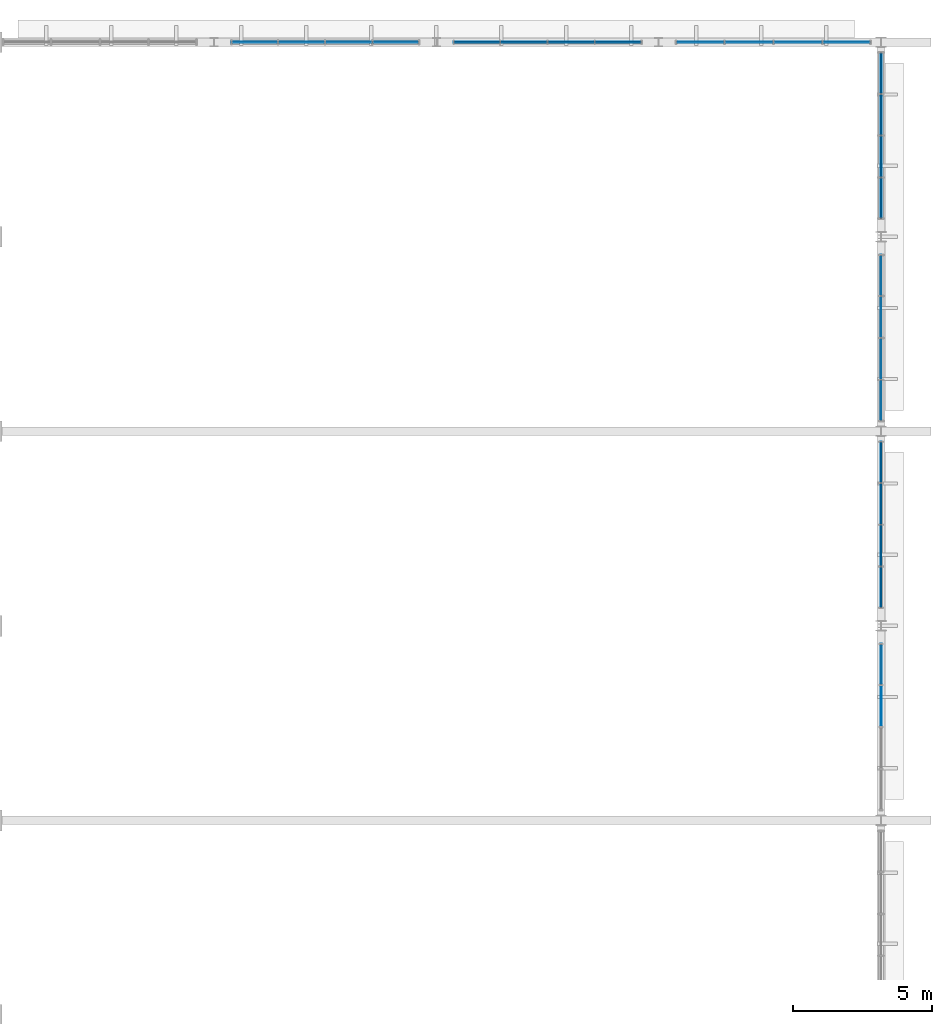
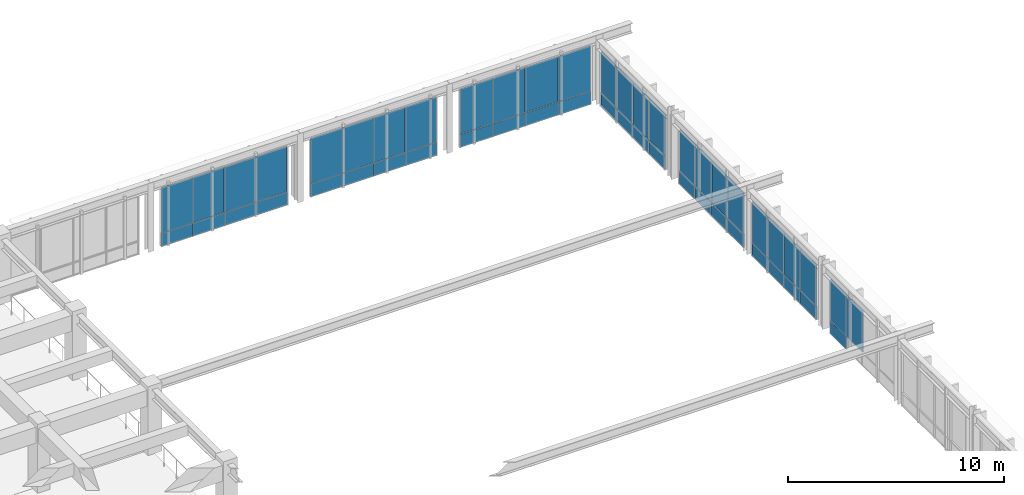
# One storey, part 52 of 98: 51 plates, 7 elements without a shape of their own.
"""IFC4 building model written with IfcOpenShell, lengths in metres."""

import ifcopenshell
import ifcopenshell.guid

model = None  # the IFC model being written
_history = None  # IfcOwnerHistory: only IFC2X3 demands one
_inside = {}  # id of a spatial element -> (the spatial element, [elements in it])
_under = {}  # id of a project, library or spatial element -> (it, [spatial elements below it])
_declared = {}  # id of a project -> (the project, [libraries it declares])
_typed = {}  # id of a type object -> (the type object, [elements of that type])
_made_of = {}  # id of a material, layer set ... -> (it, [elements and type objects made of it])


def new_model(schema):
    """Start an empty IFC model of exactly this schema.

    Asked for "IFC4X3", IfcOpenShell would pick the latest addendum, in which some entities
    have other attributes; the version numbers below select the first issue.
    IFC2X3 requires an IfcOwnerHistory on every rooted entity: one is made here for all.
    """
    global model, _history
    if schema == "IFC4X3":
        model = ifcopenshell.file(schema_version=(4, 3, 0, 0))
    else:
        model = ifcopenshell.file(schema=schema)
    _inside.clear()
    _under.clear()
    _declared.clear()
    _typed.clear()
    _made_of.clear()
    _history = None
    if model.schema == "IFC2X3":
        org = make("IfcOrganization", Name="unknown")
        user = make(
            "IfcPersonAndOrganization",
            ThePerson=make("IfcPerson", FamilyName="unknown"),
            TheOrganization=org,
        )
        app = make(
            "IfcApplication",
            ApplicationDeveloper=org,
            Version="unknown",
            ApplicationFullName="unknown",
            ApplicationIdentifier="unknown",
        )
        _history = make(
            "IfcOwnerHistory",
            OwningUser=user,
            OwningApplication=app,
            ChangeAction="ADDED",
            CreationDate=0,
        )
    return model


def make(cls, **values):
    """One entity of the class cls with the attributes given. An attribute that is None is left unset."""
    return model.create_entity(
        cls, **{name: value for name, value in values.items() if value is not None}
    )


def rooted(cls, **values):
    """An entity with a GlobalId (a new one), such as an element, a storey or a relation."""
    return make(cls, GlobalId=ifcopenshell.guid.new(), OwnerHistory=_history, **values)


def si_unit(unit_type, name, prefix=None):
    """IfcSIUnit, for example si_unit("LENGTHUNIT", "METRE", prefix="MILLI")."""
    return make("IfcSIUnit", UnitType=unit_type, Prefix=prefix, Name=name)


def assignment(units):
    """IfcUnitAssignment: the units of a project."""
    return None if units is None else make("IfcUnitAssignment", Units=units)


def point(xyz):
    """IfcCartesianPoint."""
    return None if xyz is None else make("IfcCartesianPoint", Coordinates=xyz)


def direction(xyz):
    """IfcDirection."""
    return None if xyz is None else make("IfcDirection", DirectionRatios=xyz)


def frame(location, z_axis=None, x_axis=None):
    """IfcAxis2Placement3D, a coordinate frame: its origin and axes. An axis left out is left unset."""
    return make(
        "IfcAxis2Placement3D",
        Location=point(location),
        Axis=direction(z_axis),
        RefDirection=direction(x_axis),
    )


def frame_2d(location, x_axis=None):
    """IfcAxis2Placement2D, a coordinate frame in the plane: its origin and x axis."""
    return make(
        "IfcAxis2Placement2D", Location=point(location), RefDirection=direction(x_axis)
    )


def origin():
    """The frame at (0, 0, 0) with its axes left unset."""
    return frame((0.0, 0.0, 0.0))


def origin_2d():
    """The frame at (0, 0) in the plane with its x axis left unset."""
    return frame_2d((0.0, 0.0))


def place(relative_to, where):
    """IfcLocalPlacement: puts the frame where relative to a parent placement (None: the world)."""
    return make(
        "IfcLocalPlacement", PlacementRelTo=relative_to, RelativePlacement=where
    )


def context(
    kind, dimensions, precision=None, world=None, true_north=None, identifier=None
):
    """IfcGeometricRepresentationContext, for example the 3D "Model" context."""
    return make(
        "IfcGeometricRepresentationContext",
        ContextIdentifier=identifier,
        ContextType=kind,
        CoordinateSpaceDimension=dimensions,
        Precision=precision,
        WorldCoordinateSystem=world,
        TrueNorth=true_north,
    )


def subcontext(parent, identifier, kind, view, scale=None):
    """IfcGeometricRepresentationSubContext, for example "Body" below "Model"."""
    return make(
        "IfcGeometricRepresentationSubContext",
        ContextIdentifier=identifier,
        ContextType=kind,
        ParentContext=parent,
        TargetScale=scale,
        TargetView=view,
    )


def project(units=None, contexts=None):
    """IfcProject with its units and contexts."""
    return rooted(
        "IfcProject",
        Name="project",
        RepresentationContexts=contexts,
        UnitsInContext=assignment(units),
    )


def spatial(cls, under=None, at=None, **own):
    """A site, building, storey or space (cls), placed at a placement, below another one or the project."""
    s = rooted(cls, ObjectPlacement=at, **own)
    if under is not None:
        _under.setdefault(under.id(), (under, []))[1].append(s)
    return s


def profile(cls, at=None, kind="AREA", **sizes):
    """A parametric profile (cls). Its sizes go by their IFC names, for example OverallWidth=200.0."""
    return make(cls, ProfileType=kind, Position=at, **sizes)


def rectangle(**sizes):
    """IfcRectangleProfileDef."""
    return profile("IfcRectangleProfileDef", **sizes)


def extrude(swept, where, along, depth):
    """IfcExtrudedAreaSolid: the profile swept, set in the frame where, extruded along a direction by depth."""
    return make(
        "IfcExtrudedAreaSolid",
        SweptArea=swept,
        Position=where,
        ExtrudedDirection=direction(along),
        Depth=depth,
    )


def shape(context_of_items, identifier, shape_type, items):
    """IfcShapeRepresentation: the items that make up one representation, for example the "Body"."""
    return make(
        "IfcShapeRepresentation",
        ContextOfItems=context_of_items,
        RepresentationIdentifier=identifier,
        RepresentationType=shape_type,
        Items=items,
    )


def material(Name=None, Category=None):
    """IfcMaterial."""
    return make("IfcMaterial", Name=Name, Category=Category)


def layer(
    of_material, thickness, ventilated=None, Name=None, Category=None, Priority=None
):
    """IfcMaterialLayer: one layer of a wall or slab, of a material (None: an air gap)."""
    return make(
        "IfcMaterialLayer",
        Material=of_material,
        LayerThickness=thickness,
        IsVentilated=ventilated,
        Name=Name,
        Category=Category,
        Priority=Priority,
    )


def layer_set(layers, Name=None):
    """IfcMaterialLayerSet."""
    return make("IfcMaterialLayerSet", MaterialLayers=layers, LayerSetName=Name)


def made_of(thing, what):
    """Note that an element or type object is made of a material, layer set ...; save() writes the relation."""
    if what is not None:
        _made_of.setdefault(what.id(), (what, []))[1].append(thing)
    return thing


def type_object(cls, material=None, **own):
    """A type object (cls), such as IfcWallType, which elements share."""
    return made_of(rooted(cls, **own), material)


def element(
    cls,
    number,
    at=None,
    inside=None,
    cuts=None,
    type_object=None,
    material=None,
    context=None,
    identifier="Body",
    shape_type=None,
    held_by="IfcProductDefinitionShape",
    body=None,
    shapes=None,
    **own,
):
    """One element of the class cls, such as IfcWall. Its Tag is "e" and its number.

    at: its placement. inside: the storey or other place that contains it. cuts: it is an
    opening in that element (IfcRelVoidsElement). A single representation is given by context,
    identifier, shape_type and body (its items); several are given by shapes. held_by: the class
    of the entity that holds the representations. save() writes the other relations.
    """
    e = rooted(cls, Tag="e%d" % number, ObjectPlacement=at, **own)
    if body is not None:
        shapes = [shape(context, identifier, shape_type, body)]
    if shapes is not None:
        e.Representation = make(held_by, Representations=shapes)
    if inside is not None:
        _inside.setdefault(inside.id(), (inside, []))[1].append(e)
    if cuts is not None:
        rooted(
            "IfcRelVoidsElement", RelatingBuildingElement=cuts, RelatedOpeningElement=e
        )
    if type_object is not None:
        _typed.setdefault(type_object.id(), (type_object, []))[1].append(e)
    return made_of(e, material)


def aggregate(whole, parts):
    """IfcRelAggregates: a whole, such as a stair, and the parts it consists of."""
    return rooted("IfcRelAggregates", RelatingObject=whole, RelatedObjects=parts)


def save(model, path):
    """Write the relations noted so far, then the file.

    IfcRelAggregates (storeys below a building ...), IfcRelContainedInSpatialStructure (elements
    in a storey), IfcRelDefinesByType, IfcRelAssociatesMaterial and IfcRelDeclares: one each for
    every whole, place, type object, material and project.
    """
    for whole, parts in _under.values():
        aggregate(whole, parts)
    for where, things in _inside.values():
        rooted(
            "IfcRelContainedInSpatialStructure",
            RelatedElements=things,
            RelatingStructure=where,
        )
    for kind, things in _typed.values():
        rooted("IfcRelDefinesByType", RelatedObjects=things, RelatingType=kind)
    for what, things in _made_of.values():
        rooted("IfcRelAssociatesMaterial", RelatedObjects=things, RelatingMaterial=what)
    for by, libraries in _declared.values():
        rooted("IfcRelDeclares", RelatingContext=by, RelatedDefinitions=libraries)
    model.write(path)


model = new_model("IFC4")

# Units and contexts
model_context = context("Model", 3, precision=1e-05, world=origin(), true_north=direction((0.0, 1.0)))
body_context = subcontext(model_context, "Body", "Model", "MODEL_VIEW")
ifc_project = project(units=[si_unit("LENGTHUNIT", "METRE"), si_unit("AREAUNIT", "SQUARE_METRE"), si_unit("VOLUMEUNIT", "CUBIC_METRE"), si_unit("PLANEANGLEUNIT", "RADIAN"), si_unit("MASSUNIT", "GRAM", prefix="KILO")], contexts=[model_context])

# Site, building, storey
site_placement = place(None, origin())
site = spatial("IfcSite", under=ifc_project, at=site_placement, CompositionType="ELEMENT")
building_placement = place(site_placement, origin())
building = spatial("IfcBuilding", under=site, at=building_placement, Name="Larkveld Mobility Hub", CompositionType="ELEMENT")
storey_placement = place(building_placement, frame((0.0, 0.0, 4.5)))
storey = spatial("IfcBuildingStorey", under=building, at=storey_placement, Name="L01", CompositionType="ELEMENT", Elevation=4.5)

# Curtain wall, plates
ifc_material_1 = material(Name="Anodised aluminium 6063-T6", Category="aluminium")
curtain_wall_type_1 = type_object("IfcCurtainWallType", Name="CW-SYS-01", PredefinedType="NOTDEFINED", material=ifc_material_1)
curtain_wall_1_placement = place(storey_placement, origin())
curtain_wall_1 = element("IfcCurtainWall", 1, at=curtain_wall_1_placement, inside=storey, type_object=curtain_wall_type_1, Name="Bus Hall Upper East Glazing B6 CW-061", PredefinedType="NOTDEFINED")
ifc_material_2 = material(Name="Low-E laminated solar-control double glazing", Category="glass")
ifc_layer_1 = layer(ifc_material_2, 0.028076171875, Name="Low-E laminated solar-control double glazing", Category="glass")
ifc_layer_set_1 = layer_set([ifc_layer_1], Name="Low-E laminated solar-control double glazing")
plate_type_1 = type_object("IfcPlateType", Name="CW-PNL-GL01", PredefinedType="CURTAIN_PANEL", material=ifc_layer_set_1)
plate_1_placement = place(storey_placement, frame((184.0, 106.388916015625, 0.75), z_axis=(0.0, 0.0, 1.0), x_axis=(0.0, 1.0, 0.0)))
plate_1 = element("IfcPlate", 2, at=plate_1_placement, type_object=plate_type_1, Name="CW01 panel 1", PredefinedType="CURTAIN_PANEL", context=body_context, shape_type="SweptSolid", body=[
    extrude(rectangle(XDim=1.47607421875, YDim=0.028076171875, at=origin_2d()), origin(), (0.0, 0.0, 1.0), 2.327880859375),
])
plate_2_placement = place(storey_placement, frame((184.0, 107.885009765625, 0.75), z_axis=(0.0, 0.0, 1.0), x_axis=(0.0, 1.0, 0.0)))
plate_2 = element("IfcPlate", 3, at=plate_2_placement, type_object=plate_type_1, Name="CW01 panel 2", PredefinedType="CURTAIN_PANEL", context=body_context, shape_type="SweptSolid", body=[
    extrude(rectangle(XDim=1.49609375, YDim=0.028076171875, at=origin_2d()), origin(), (0.0, 0.0, 1.0), 2.327880859375),
])
plate_3_placement = place(storey_placement, frame((184.0, 109.39111328125, 0.75), z_axis=(0.0, 0.0, 1.0), x_axis=(0.0, 1.0, 0.0)))
plate_3 = element("IfcPlate", 4, at=plate_3_placement, type_object=plate_type_1, Name="CW01 panel 3", PredefinedType="CURTAIN_PANEL", context=body_context, shape_type="SweptSolid", body=[
    extrude(rectangle(XDim=1.49609375, YDim=0.028076171875, at=origin_2d()), origin(), (0.0, 0.0, 1.0), 2.327880859375),
])
plate_4_placement = place(storey_placement, frame((184.0, 110.886962890625, 0.75), z_axis=(0.0, 0.0, 1.0), x_axis=(0.0, 1.0, 0.0)))
plate_4 = element("IfcPlate", 5, at=plate_4_placement, type_object=plate_type_1, Name="CW01 panel 4", PredefinedType="CURTAIN_PANEL", context=body_context, shape_type="SweptSolid", body=[
    extrude(rectangle(XDim=1.47607421875, YDim=0.028076171875, at=origin_2d()), origin(), (0.0, 0.0, 1.0), 2.327880859375),
])

curtain_wall_type_2 = type_object("IfcCurtainWallType", Name="CW-SYS-04", PredefinedType="NOTDEFINED", material=ifc_material_1)
curtain_wall_2_placement = place(storey_placement, origin())
curtain_wall_2 = element("IfcCurtainWall", 6, at=curtain_wall_2_placement, inside=storey, type_object=curtain_wall_type_2, Name="North Ridgeway Upper Concourse Curtain Wall CW-064", PredefinedType="NOTDEFINED")
plate_5_placement = place(storey_placement, frame((182.759033203125, 126.0, 0.75), z_axis=(0.0, 0.0, 1.0), x_axis=(-1.0, 0.0, 0.0)))
plate_5 = element("IfcPlate", 7, at=plate_5_placement, type_object=plate_type_1, Name="CW04 panel 1", PredefinedType="CURTAIN_PANEL", context=body_context, shape_type="SweptSolid", body=[
    extrude(rectangle(XDim=1.73291015625, YDim=0.028076171875, at=origin_2d()), origin(), (0.0, 0.0, 1.0), 2.568115234375),
])
plate_6_placement = place(storey_placement, frame((181.006103515625, 126.0, 0.75), z_axis=(0.0, 0.0, 1.0), x_axis=(-1.0, 0.0, 0.0)))
plate_6 = element("IfcPlate", 8, at=plate_6_placement, type_object=plate_type_1, Name="CW04 panel 2", PredefinedType="CURTAIN_PANEL", context=body_context, shape_type="SweptSolid", body=[
    extrude(rectangle(XDim=1.7529296875, YDim=0.028076171875, at=origin_2d()), origin(), (0.0, 0.0, 1.0), 2.568115234375),
])
plate_7_placement = place(storey_placement, frame((179.243896484375, 126.0, 0.75), z_axis=(0.0, 0.0, 1.0), x_axis=(-1.0, 0.0, 0.0)))
plate_7 = element("IfcPlate", 9, at=plate_7_placement, type_object=plate_type_1, Name="CW04 panel 3", PredefinedType="CURTAIN_PANEL", context=body_context, shape_type="SweptSolid", body=[
    extrude(rectangle(XDim=1.7529296875, YDim=0.028076171875, at=origin_2d()), origin(), (0.0, 0.0, 1.0), 2.568115234375),
])
plate_8_placement = place(storey_placement, frame((177.490966796875, 126.0, 0.75), z_axis=(0.0, 0.0, 1.0), x_axis=(-1.0, 0.0, 0.0)))
plate_8 = element("IfcPlate", 10, at=plate_8_placement, type_object=plate_type_1, Name="CW04 panel 4", PredefinedType="CURTAIN_PANEL", context=body_context, shape_type="SweptSolid", body=[
    extrude(rectangle(XDim=1.73291015625, YDim=0.028076171875, at=origin_2d()), origin(), (0.0, 0.0, 1.0), 2.568115234375),
])

curtain_wall_type_3 = type_object("IfcCurtainWallType", Name="CW-SYS-02", PredefinedType="NOTDEFINED", material=ifc_material_1)
curtain_wall_3_placement = place(storey_placement, origin())
curtain_wall_3 = element("IfcCurtainWall", 11, at=curtain_wall_3_placement, inside=storey, type_object=curtain_wall_type_3, Name="Bus Hall Upper East Glazing B7 CW-062", PredefinedType="NOTDEFINED")
ifc_material_3 = material(Name="Acoustic solar-control laminated double glazing", Category="glass")
ifc_layer_2 = layer(ifc_material_3, 0.031982421875, Name="Acoustic solar-control laminated double glazing", Category="glass")
ifc_layer_set_2 = layer_set([ifc_layer_2], Name="Acoustic solar-control laminated double glazing")
plate_type_2 = type_object("IfcPlateType", Name="CW-PNL-GL02", PredefinedType="CURTAIN_PANEL", material=ifc_layer_set_2)
plate_9_placement = place(storey_placement, frame((184.0, 113.113037109375, 0.75), z_axis=(0.0, 0.0, 1.0), x_axis=(0.0, 1.0, 0.0)))
plate_9 = element("IfcPlate", 12, at=plate_9_placement, type_object=plate_type_2, Name="CW02 panel 1", PredefinedType="CURTAIN_PANEL", context=body_context, shape_type="SweptSolid", body=[
    extrude(rectangle(XDim=1.47607421875, YDim=0.031982421875, at=origin_2d()), origin(), (0.0, 0.0, 1.0), 2.327880859375),
])
plate_10_placement = place(storey_placement, frame((184.0, 114.60888671875, 0.75), z_axis=(0.0, 0.0, 1.0), x_axis=(0.0, 1.0, 0.0)))
plate_10 = element("IfcPlate", 13, at=plate_10_placement, type_object=plate_type_2, Name="CW02 panel 2", PredefinedType="CURTAIN_PANEL", context=body_context, shape_type="SweptSolid", body=[
    extrude(rectangle(XDim=1.49609375, YDim=0.031982421875, at=origin_2d()), origin(), (0.0, 0.0, 1.0), 2.327880859375),
])
plate_11_placement = place(storey_placement, frame((184.0, 116.114990234375, 0.75), z_axis=(0.0, 0.0, 1.0), x_axis=(0.0, 1.0, 0.0)))
plate_11 = element("IfcPlate", 14, at=plate_11_placement, type_object=plate_type_2, Name="CW02 panel 3", PredefinedType="CURTAIN_PANEL", context=body_context, shape_type="SweptSolid", body=[
    extrude(rectangle(XDim=1.49609375, YDim=0.031982421875, at=origin_2d()), origin(), (0.0, 0.0, 1.0), 2.327880859375),
])
plate_12_placement = place(storey_placement, frame((184.0, 117.611083984375, 0.75), z_axis=(0.0, 0.0, 1.0), x_axis=(0.0, 1.0, 0.0)))
plate_12 = element("IfcPlate", 15, at=plate_12_placement, type_object=plate_type_2, Name="CW02 panel 4", PredefinedType="CURTAIN_PANEL", context=body_context, shape_type="SweptSolid", body=[
    extrude(rectangle(XDim=1.47607421875, YDim=0.031982421875, at=origin_2d()), origin(), (0.0, 0.0, 1.0), 2.327880859375),
])

curtain_wall_type_4 = type_object("IfcCurtainWallType", Name="CW-SYS-05", PredefinedType="NOTDEFINED", material=ifc_material_1)
curtain_wall_4_placement = place(storey_placement, origin())
curtain_wall_4 = element("IfcCurtainWall", 16, at=curtain_wall_4_placement, inside=storey, type_object=curtain_wall_type_4, Name="North Ridgeway Upper Concourse Curtain Wall CW-065", PredefinedType="NOTDEFINED")
plate_13_placement = place(storey_placement, frame((174.5400390625, 126.0, 0.75), z_axis=(0.0, 0.0, 1.0), x_axis=(-1.0, 0.0, 0.0)))
plate_13 = element("IfcPlate", 17, at=plate_13_placement, type_object=plate_type_2, Name="CW05 panel 1", PredefinedType="CURTAIN_PANEL", context=body_context, shape_type="SweptSolid", body=[
    extrude(rectangle(XDim=1.669921875, YDim=0.031982421875, at=origin_2d()), origin(), (0.0, 0.0, 1.0), 2.568115234375),
])
plate_14_placement = place(storey_placement, frame((172.85009765625, 126.0, 0.75), z_axis=(0.0, 0.0, 1.0), x_axis=(-1.0, 0.0, 0.0)))
plate_14 = element("IfcPlate", 18, at=plate_14_placement, type_object=plate_type_2, Name="CW05 panel 2", PredefinedType="CURTAIN_PANEL", context=body_context, shape_type="SweptSolid", body=[
    extrude(rectangle(XDim=1.68994140625, YDim=0.031982421875, at=origin_2d()), origin(), (0.0, 0.0, 1.0), 2.568115234375),
])
plate_15_placement = place(storey_placement, frame((171.14990234375, 126.0, 0.75), z_axis=(0.0, 0.0, 1.0), x_axis=(-1.0, 0.0, 0.0)))
plate_15 = element("IfcPlate", 19, at=plate_15_placement, type_object=plate_type_2, Name="CW05 panel 3", PredefinedType="CURTAIN_PANEL", context=body_context, shape_type="SweptSolid", body=[
    extrude(rectangle(XDim=1.68994140625, YDim=0.031982421875, at=origin_2d()), origin(), (0.0, 0.0, 1.0), 2.568115234375),
])
plate_16_placement = place(storey_placement, frame((169.4599609375, 126.0, 0.75), z_axis=(0.0, 0.0, 1.0), x_axis=(-1.0, 0.0, 0.0)))
plate_16 = element("IfcPlate", 20, at=plate_16_placement, type_object=plate_type_2, Name="CW05 panel 4", PredefinedType="CURTAIN_PANEL", context=body_context, shape_type="SweptSolid", body=[
    extrude(rectangle(XDim=1.669921875, YDim=0.031982421875, at=origin_2d()), origin(), (0.0, 0.0, 1.0), 2.568115234375),
])

curtain_wall_type_5 = type_object("IfcCurtainWallType", Name="CW-SYS-12", PredefinedType="NOTDEFINED", material=ifc_material_1)
curtain_wall_5_placement = place(storey_placement, origin())
curtain_wall_5 = element("IfcCurtainWall", 21, at=curtain_wall_5_placement, inside=storey, type_object=curtain_wall_type_5, Name="Bus Hall Upper East Glazing B6 CW-060", PredefinedType="NOTDEFINED")
ifc_material_4 = material(Name="Tinted safety double glazing", Category="glass")
ifc_layer_3 = layer(ifc_material_4, 0.035888671875, Name="Tinted safety double glazing", Category="glass")
ifc_layer_set_3 = layer_set([ifc_layer_3], Name="Tinted safety double glazing")
plate_type_3 = type_object("IfcPlateType", Name="CW-PNL-GL03", PredefinedType="CURTAIN_PANEL", material=ifc_layer_set_3)
plate_17_placement = place(storey_placement, frame((184.0, 102.114990234375, 0.75), z_axis=(0.0, 0.0, 1.0), x_axis=(0.0, 1.0, 0.0)))
plate_17 = element("IfcPlate", 22, at=plate_17_placement, type_object=plate_type_3, Name="CW12 panel 3", PredefinedType="CURTAIN_PANEL", context=body_context, shape_type="SweptSolid", body=[
    extrude(rectangle(XDim=1.49609375, YDim=0.035888671875, at=origin_2d()), origin(), (0.0, 0.0, 1.0), 2.327880859375),
])
plate_18_placement = place(storey_placement, frame((184.0, 103.611083984375, 0.75), z_axis=(0.0, 0.0, 1.0), x_axis=(0.0, 1.0, 0.0)))
plate_18 = element("IfcPlate", 23, at=plate_18_placement, type_object=plate_type_3, Name="CW12 panel 4", PredefinedType="CURTAIN_PANEL", context=body_context, shape_type="SweptSolid", body=[
    extrude(rectangle(XDim=1.47607421875, YDim=0.035888671875, at=origin_2d()), origin(), (0.0, 0.0, 1.0), 2.327880859375),
])

curtain_wall_type_6 = type_object("IfcCurtainWallType", Name="CW-SYS-03", PredefinedType="NOTDEFINED", material=ifc_material_1)
curtain_wall_6_placement = place(storey_placement, origin())
curtain_wall_6 = element("IfcCurtainWall", 24, at=curtain_wall_6_placement, inside=storey, type_object=curtain_wall_type_6, Name="Bus Hall Upper East Glazing B7 CW-063", PredefinedType="NOTDEFINED")
plate_19_placement = place(storey_placement, frame((184.0, 120.388916015625, 0.75), z_axis=(0.0, 0.0, 1.0), x_axis=(0.0, 1.0, 0.0)))
plate_19 = element("IfcPlate", 25, at=plate_19_placement, type_object=plate_type_3, Name="CW03 panel 1", PredefinedType="CURTAIN_PANEL", context=body_context, shape_type="SweptSolid", body=[
    extrude(rectangle(XDim=1.47607421875, YDim=0.035888671875, at=origin_2d()), origin(), (0.0, 0.0, 1.0), 2.327880859375),
])
plate_20_placement = place(storey_placement, frame((184.0, 121.885009765625, 0.75), z_axis=(0.0, 0.0, 1.0), x_axis=(0.0, 1.0, 0.0)))
plate_20 = element("IfcPlate", 26, at=plate_20_placement, type_object=plate_type_3, Name="CW03 panel 2", PredefinedType="CURTAIN_PANEL", context=body_context, shape_type="SweptSolid", body=[
    extrude(rectangle(XDim=1.49609375, YDim=0.035888671875, at=origin_2d()), origin(), (0.0, 0.0, 1.0), 2.327880859375),
])
plate_21_placement = place(storey_placement, frame((184.0, 123.39111328125, 0.75), z_axis=(0.0, 0.0, 1.0), x_axis=(0.0, 1.0, 0.0)))
plate_21 = element("IfcPlate", 27, at=plate_21_placement, type_object=plate_type_3, Name="CW03 panel 3", PredefinedType="CURTAIN_PANEL", context=body_context, shape_type="SweptSolid", body=[
    extrude(rectangle(XDim=1.49609375, YDim=0.035888671875, at=origin_2d()), origin(), (0.0, 0.0, 1.0), 2.327880859375),
])
plate_22_placement = place(storey_placement, frame((184.0, 124.886962890625, 0.75), z_axis=(0.0, 0.0, 1.0), x_axis=(0.0, 1.0, 0.0)))
plate_22 = element("IfcPlate", 28, at=plate_22_placement, type_object=plate_type_3, Name="CW03 panel 4", PredefinedType="CURTAIN_PANEL", context=body_context, shape_type="SweptSolid", body=[
    extrude(rectangle(XDim=1.47607421875, YDim=0.035888671875, at=origin_2d()), origin(), (0.0, 0.0, 1.0), 2.327880859375),
])

curtain_wall_type_7 = type_object("IfcCurtainWallType", Name="CW-SYS-06", PredefinedType="NOTDEFINED", material=ifc_material_1)
curtain_wall_7_placement = place(storey_placement, origin())
curtain_wall_7 = element("IfcCurtainWall", 29, at=curtain_wall_7_placement, inside=storey, type_object=curtain_wall_type_7, Name="North Ridgeway Upper Concourse Curtain Wall CW-066", PredefinedType="NOTDEFINED")
plate_23_placement = place(storey_placement, frame((166.5400390625, 126.0, 0.75), z_axis=(0.0, 0.0, 1.0), x_axis=(-1.0, 0.0, 0.0)))
plate_23 = element("IfcPlate", 30, at=plate_23_placement, type_object=plate_type_3, Name="CW06 panel 1", PredefinedType="CURTAIN_PANEL", context=body_context, shape_type="SweptSolid", body=[
    extrude(rectangle(XDim=1.669921875, YDim=0.035888671875, at=origin_2d()), origin(), (0.0, 0.0, 1.0), 2.568115234375),
])
plate_24_placement = place(storey_placement, frame((164.85009765625, 126.0, 0.75), z_axis=(0.0, 0.0, 1.0), x_axis=(-1.0, 0.0, 0.0)))
plate_24 = element("IfcPlate", 31, at=plate_24_placement, type_object=plate_type_3, Name="CW06 panel 2", PredefinedType="CURTAIN_PANEL", context=body_context, shape_type="SweptSolid", body=[
    extrude(rectangle(XDim=1.68994140625, YDim=0.035888671875, at=origin_2d()), origin(), (0.0, 0.0, 1.0), 2.568115234375),
])
plate_25_placement = place(storey_placement, frame((163.14990234375, 126.0, 0.75), z_axis=(0.0, 0.0, 1.0), x_axis=(-1.0, 0.0, 0.0)))
plate_25 = element("IfcPlate", 32, at=plate_25_placement, type_object=plate_type_3, Name="CW06 panel 3", PredefinedType="CURTAIN_PANEL", context=body_context, shape_type="SweptSolid", body=[
    extrude(rectangle(XDim=1.68994140625, YDim=0.035888671875, at=origin_2d()), origin(), (0.0, 0.0, 1.0), 2.568115234375),
])
plate_26_placement = place(storey_placement, frame((161.4599609375, 126.0, 0.75), z_axis=(0.0, 0.0, 1.0), x_axis=(-1.0, 0.0, 0.0)))
plate_26 = element("IfcPlate", 33, at=plate_26_placement, type_object=plate_type_3, Name="CW06 panel 4", PredefinedType="CURTAIN_PANEL", context=body_context, shape_type="SweptSolid", body=[
    extrude(rectangle(XDim=1.669921875, YDim=0.035888671875, at=origin_2d()), origin(), (0.0, 0.0, 1.0), 2.568115234375),
])

# Plate
ifc_material_5 = material(Name="Insulated fluoropolymer aluminium spandrel", Category="aluminium")
ifc_layer_4 = layer(ifc_material_5, 0.06494140625, Name="Insulated fluoropolymer aluminium spandrel", Category="aluminium")
ifc_layer_set_4 = layer_set([ifc_layer_4], Name="Insulated fluoropolymer aluminium spandrel")
plate_type_4 = type_object("IfcPlateType", Name="CW-PNL-SP01", PredefinedType="CURTAIN_PANEL", material=ifc_layer_set_4)
plate_27_placement = place(storey_placement, frame((184.0, 106.388916015625, 0.0), z_axis=(0.0, 0.0, 1.0), x_axis=(0.0, 1.0, 0.0)))
plate_27 = element("IfcPlate", 34, at=plate_27_placement, type_object=plate_type_4, Name="CW01 spandrel 1", PredefinedType="CURTAIN_PANEL", context=body_context, shape_type="SweptSolid", body=[
    extrude(rectangle(XDim=1.47607421875, YDim=0.06494140625, at=origin_2d()), origin(), (0.0, 0.0, 1.0), 0.738037109375),
])

plate_28_placement = place(storey_placement, frame((184.0, 107.885009765625, 0.0), z_axis=(0.0, 0.0, 1.0), x_axis=(0.0, 1.0, 0.0)))
plate_28 = element("IfcPlate", 35, at=plate_28_placement, type_object=plate_type_4, Name="CW01 spandrel 2", PredefinedType="CURTAIN_PANEL", context=body_context, shape_type="SweptSolid", body=[
    extrude(rectangle(XDim=1.49609375, YDim=0.06494140625, at=origin_2d()), origin(), (0.0, 0.0, 1.0), 0.738037109375),
])

plate_29_placement = place(storey_placement, frame((184.0, 109.39111328125, 0.0), z_axis=(0.0, 0.0, 1.0), x_axis=(0.0, 1.0, 0.0)))
plate_29 = element("IfcPlate", 36, at=plate_29_placement, type_object=plate_type_4, Name="CW01 spandrel 3", PredefinedType="CURTAIN_PANEL", context=body_context, shape_type="SweptSolid", body=[
    extrude(rectangle(XDim=1.49609375, YDim=0.06494140625, at=origin_2d()), origin(), (0.0, 0.0, 1.0), 0.738037109375),
])

plate_30_placement = place(storey_placement, frame((184.0, 110.886962890625, 0.0), z_axis=(0.0, 0.0, 1.0), x_axis=(0.0, 1.0, 0.0)))
plate_30 = element("IfcPlate", 37, at=plate_30_placement, type_object=plate_type_4, Name="CW01 spandrel 4", PredefinedType="CURTAIN_PANEL", context=body_context, shape_type="SweptSolid", body=[
    extrude(rectangle(XDim=1.47607421875, YDim=0.06494140625, at=origin_2d()), origin(), (0.0, 0.0, 1.0), 0.738037109375),
])

aggregate(curtain_wall_1, [plate_27, plate_1, plate_28, plate_2, plate_29, plate_3, plate_30, plate_4])

plate_31_placement = place(storey_placement, frame((184.0, 120.388916015625, 0.0), z_axis=(0.0, 0.0, 1.0), x_axis=(0.0, 1.0, 0.0)))
plate_31 = element("IfcPlate", 38, at=plate_31_placement, type_object=plate_type_4, Name="CW03 spandrel 1", PredefinedType="CURTAIN_PANEL", context=body_context, shape_type="SweptSolid", body=[
    extrude(rectangle(XDim=1.47607421875, YDim=0.06494140625, at=origin_2d()), origin(), (0.0, 0.0, 1.0), 0.738037109375),
])

plate_32_placement = place(storey_placement, frame((184.0, 121.885009765625, 0.0), z_axis=(0.0, 0.0, 1.0), x_axis=(0.0, 1.0, 0.0)))
plate_32 = element("IfcPlate", 39, at=plate_32_placement, type_object=plate_type_4, Name="CW03 spandrel 2", PredefinedType="CURTAIN_PANEL", context=body_context, shape_type="SweptSolid", body=[
    extrude(rectangle(XDim=1.49609375, YDim=0.06494140625, at=origin_2d()), origin(), (0.0, 0.0, 1.0), 0.738037109375),
])

plate_33_placement = place(storey_placement, frame((184.0, 123.39111328125, 0.0), z_axis=(0.0, 0.0, 1.0), x_axis=(0.0, 1.0, 0.0)))
plate_33 = element("IfcPlate", 40, at=plate_33_placement, type_object=plate_type_4, Name="CW03 spandrel 3", PredefinedType="CURTAIN_PANEL", context=body_context, shape_type="SweptSolid", body=[
    extrude(rectangle(XDim=1.49609375, YDim=0.06494140625, at=origin_2d()), origin(), (0.0, 0.0, 1.0), 0.738037109375),
])

plate_34_placement = place(storey_placement, frame((184.0, 124.886962890625, 0.0), z_axis=(0.0, 0.0, 1.0), x_axis=(0.0, 1.0, 0.0)))
plate_34 = element("IfcPlate", 41, at=plate_34_placement, type_object=plate_type_4, Name="CW03 spandrel 4", PredefinedType="CURTAIN_PANEL", context=body_context, shape_type="SweptSolid", body=[
    extrude(rectangle(XDim=1.47607421875, YDim=0.06494140625, at=origin_2d()), origin(), (0.0, 0.0, 1.0), 0.738037109375),
])

aggregate(curtain_wall_6, [plate_31, plate_19, plate_32, plate_20, plate_33, plate_21, plate_34, plate_22])

plate_35_placement = place(storey_placement, frame((174.5400390625, 126.0, 0.0), z_axis=(0.0, 0.0, 1.0), x_axis=(-1.0, 0.0, 0.0)))
plate_35 = element("IfcPlate", 42, at=plate_35_placement, type_object=plate_type_4, Name="CW05 spandrel 1", PredefinedType="CURTAIN_PANEL", context=body_context, shape_type="SweptSolid", body=[
    extrude(rectangle(XDim=1.669921875, YDim=0.06494140625, at=origin_2d()), origin(), (0.0, 0.0, 1.0), 0.738037109375),
])

plate_36_placement = place(storey_placement, frame((172.85009765625, 126.0, 0.0), z_axis=(0.0, 0.0, 1.0), x_axis=(-1.0, 0.0, 0.0)))
plate_36 = element("IfcPlate", 43, at=plate_36_placement, type_object=plate_type_4, Name="CW05 spandrel 2", PredefinedType="CURTAIN_PANEL", context=body_context, shape_type="SweptSolid", body=[
    extrude(rectangle(XDim=1.68994140625, YDim=0.06494140625, at=origin_2d()), origin(), (0.0, 0.0, 1.0), 0.738037109375),
])

plate_37_placement = place(storey_placement, frame((171.14990234375, 126.0, 0.0), z_axis=(0.0, 0.0, 1.0), x_axis=(-1.0, 0.0, 0.0)))
plate_37 = element("IfcPlate", 44, at=plate_37_placement, type_object=plate_type_4, Name="CW05 spandrel 3", PredefinedType="CURTAIN_PANEL", context=body_context, shape_type="SweptSolid", body=[
    extrude(rectangle(XDim=1.68994140625, YDim=0.06494140625, at=origin_2d()), origin(), (0.0, 0.0, 1.0), 0.738037109375),
])

plate_38_placement = place(storey_placement, frame((169.4599609375, 126.0, 0.0), z_axis=(0.0, 0.0, 1.0), x_axis=(-1.0, 0.0, 0.0)))
plate_38 = element("IfcPlate", 45, at=plate_38_placement, type_object=plate_type_4, Name="CW05 spandrel 4", PredefinedType="CURTAIN_PANEL", context=body_context, shape_type="SweptSolid", body=[
    extrude(rectangle(XDim=1.669921875, YDim=0.06494140625, at=origin_2d()), origin(), (0.0, 0.0, 1.0), 0.738037109375),
])

aggregate(curtain_wall_4, [plate_35, plate_13, plate_36, plate_14, plate_37, plate_15, plate_38, plate_16])

ifc_material_6 = material(Name="Insulated terracotta-toned aluminium spandrel", Category="masonry")
ifc_layer_5 = layer(ifc_material_6, 0.080078125, Name="Insulated terracotta-toned aluminium spandrel", Category="masonry")
ifc_layer_set_5 = layer_set([ifc_layer_5], Name="Insulated terracotta-toned aluminium spandrel")
plate_type_5 = type_object("IfcPlateType", Name="CW-PNL-SP02", PredefinedType="CURTAIN_PANEL", material=ifc_layer_set_5)
plate_39_placement = place(storey_placement, frame((184.0, 103.611083984375, 0.0), z_axis=(0.0, 0.0, 1.0), x_axis=(0.0, 1.0, 0.0)))
plate_39 = element("IfcPlate", 46, at=plate_39_placement, type_object=plate_type_5, Name="CW12 spandrel 4", PredefinedType="CURTAIN_PANEL", context=body_context, shape_type="SweptSolid", body=[
    extrude(rectangle(XDim=1.47607421875, YDim=0.080078125, at=origin_2d()), origin(), (0.0, 0.0, 1.0), 0.738037109375),
])

aggregate(curtain_wall_5, [plate_17, plate_39, plate_18])

plate_40_placement = place(storey_placement, frame((184.0, 113.113037109375, 0.0), z_axis=(0.0, 0.0, 1.0), x_axis=(0.0, 1.0, 0.0)))
plate_40 = element("IfcPlate", 47, at=plate_40_placement, type_object=plate_type_5, Name="CW02 spandrel 1", PredefinedType="CURTAIN_PANEL", context=body_context, shape_type="SweptSolid", body=[
    extrude(rectangle(XDim=1.47607421875, YDim=0.080078125, at=origin_2d()), origin(), (0.0, 0.0, 1.0), 0.738037109375),
])

plate_41_placement = place(storey_placement, frame((184.0, 114.60888671875, 0.0), z_axis=(0.0, 0.0, 1.0), x_axis=(0.0, 1.0, 0.0)))
plate_41 = element("IfcPlate", 48, at=plate_41_placement, type_object=plate_type_5, Name="CW02 spandrel 2", PredefinedType="CURTAIN_PANEL", context=body_context, shape_type="SweptSolid", body=[
    extrude(rectangle(XDim=1.49609375, YDim=0.080078125, at=origin_2d()), origin(), (0.0, 0.0, 1.0), 0.738037109375),
])

plate_42_placement = place(storey_placement, frame((184.0, 116.114990234375, 0.0), z_axis=(0.0, 0.0, 1.0), x_axis=(0.0, 1.0, 0.0)))
plate_42 = element("IfcPlate", 49, at=plate_42_placement, type_object=plate_type_5, Name="CW02 spandrel 3", PredefinedType="CURTAIN_PANEL", context=body_context, shape_type="SweptSolid", body=[
    extrude(rectangle(XDim=1.49609375, YDim=0.080078125, at=origin_2d()), origin(), (0.0, 0.0, 1.0), 0.738037109375),
])

plate_43_placement = place(storey_placement, frame((184.0, 117.611083984375, 0.0), z_axis=(0.0, 0.0, 1.0), x_axis=(0.0, 1.0, 0.0)))
plate_43 = element("IfcPlate", 50, at=plate_43_placement, type_object=plate_type_5, Name="CW02 spandrel 4", PredefinedType="CURTAIN_PANEL", context=body_context, shape_type="SweptSolid", body=[
    extrude(rectangle(XDim=1.47607421875, YDim=0.080078125, at=origin_2d()), origin(), (0.0, 0.0, 1.0), 0.738037109375),
])

aggregate(curtain_wall_3, [plate_40, plate_9, plate_41, plate_10, plate_42, plate_11, plate_43, plate_12])

plate_44_placement = place(storey_placement, frame((182.759033203125, 126.0, 0.0), z_axis=(0.0, 0.0, 1.0), x_axis=(-1.0, 0.0, 0.0)))
plate_44 = element("IfcPlate", 51, at=plate_44_placement, type_object=plate_type_5, Name="CW04 spandrel 1", PredefinedType="CURTAIN_PANEL", context=body_context, shape_type="SweptSolid", body=[
    extrude(rectangle(XDim=1.73291015625, YDim=0.080078125, at=origin_2d()), origin(), (0.0, 0.0, 1.0), 0.738037109375),
])

plate_45_placement = place(storey_placement, frame((181.006103515625, 126.0, 0.0), z_axis=(0.0, 0.0, 1.0), x_axis=(-1.0, 0.0, 0.0)))
plate_45 = element("IfcPlate", 52, at=plate_45_placement, type_object=plate_type_5, Name="CW04 spandrel 2", PredefinedType="CURTAIN_PANEL", context=body_context, shape_type="SweptSolid", body=[
    extrude(rectangle(XDim=1.7529296875, YDim=0.080078125, at=origin_2d()), origin(), (0.0, 0.0, 1.0), 0.738037109375),
])

plate_46_placement = place(storey_placement, frame((179.243896484375, 126.0, 0.0), z_axis=(0.0, 0.0, 1.0), x_axis=(-1.0, 0.0, 0.0)))
plate_46 = element("IfcPlate", 53, at=plate_46_placement, type_object=plate_type_5, Name="CW04 spandrel 3", PredefinedType="CURTAIN_PANEL", context=body_context, shape_type="SweptSolid", body=[
    extrude(rectangle(XDim=1.7529296875, YDim=0.080078125, at=origin_2d()), origin(), (0.0, 0.0, 1.0), 0.738037109375),
])

plate_47_placement = place(storey_placement, frame((177.490966796875, 126.0, 0.0), z_axis=(0.0, 0.0, 1.0), x_axis=(-1.0, 0.0, 0.0)))
plate_47 = element("IfcPlate", 54, at=plate_47_placement, type_object=plate_type_5, Name="CW04 spandrel 4", PredefinedType="CURTAIN_PANEL", context=body_context, shape_type="SweptSolid", body=[
    extrude(rectangle(XDim=1.73291015625, YDim=0.080078125, at=origin_2d()), origin(), (0.0, 0.0, 1.0), 0.738037109375),
])

aggregate(curtain_wall_2, [plate_44, plate_5, plate_45, plate_6, plate_46, plate_7, plate_47, plate_8])

plate_48_placement = place(storey_placement, frame((166.5400390625, 126.0, 0.0), z_axis=(0.0, 0.0, 1.0), x_axis=(-1.0, 0.0, 0.0)))
plate_48 = element("IfcPlate", 55, at=plate_48_placement, type_object=plate_type_5, Name="CW06 spandrel 1", PredefinedType="CURTAIN_PANEL", context=body_context, shape_type="SweptSolid", body=[
    extrude(rectangle(XDim=1.669921875, YDim=0.080078125, at=origin_2d()), origin(), (0.0, 0.0, 1.0), 0.738037109375),
])

plate_49_placement = place(storey_placement, frame((164.85009765625, 126.0, 0.0), z_axis=(0.0, 0.0, 1.0), x_axis=(-1.0, 0.0, 0.0)))
plate_49 = element("IfcPlate", 56, at=plate_49_placement, type_object=plate_type_5, Name="CW06 spandrel 2", PredefinedType="CURTAIN_PANEL", context=body_context, shape_type="SweptSolid", body=[
    extrude(rectangle(XDim=1.68994140625, YDim=0.080078125, at=origin_2d()), origin(), (0.0, 0.0, 1.0), 0.738037109375),
])

plate_50_placement = place(storey_placement, frame((163.14990234375, 126.0, 0.0), z_axis=(0.0, 0.0, 1.0), x_axis=(-1.0, 0.0, 0.0)))
plate_50 = element("IfcPlate", 57, at=plate_50_placement, type_object=plate_type_5, Name="CW06 spandrel 3", PredefinedType="CURTAIN_PANEL", context=body_context, shape_type="SweptSolid", body=[
    extrude(rectangle(XDim=1.68994140625, YDim=0.080078125, at=origin_2d()), origin(), (0.0, 0.0, 1.0), 0.738037109375),
])

plate_51_placement = place(storey_placement, frame((161.4599609375, 126.0, 0.0), z_axis=(0.0, 0.0, 1.0), x_axis=(-1.0, 0.0, 0.0)))
plate_51 = element("IfcPlate", 58, at=plate_51_placement, type_object=plate_type_5, Name="CW06 spandrel 4", PredefinedType="CURTAIN_PANEL", context=body_context, shape_type="SweptSolid", body=[
    extrude(rectangle(XDim=1.669921875, YDim=0.080078125, at=origin_2d()), origin(), (0.0, 0.0, 1.0), 0.738037109375),
])

aggregate(curtain_wall_7, [plate_48, plate_23, plate_49, plate_24, plate_50, plate_25, plate_51, plate_26])

save(model, "model.ifc")
